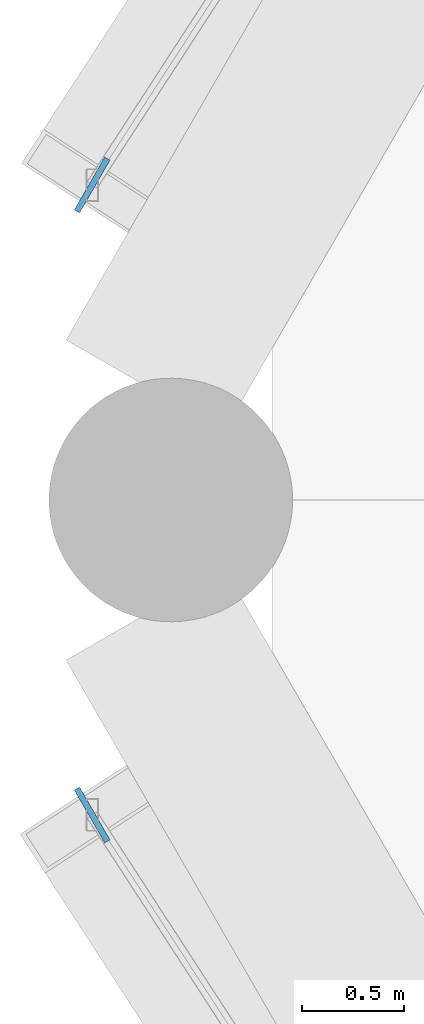
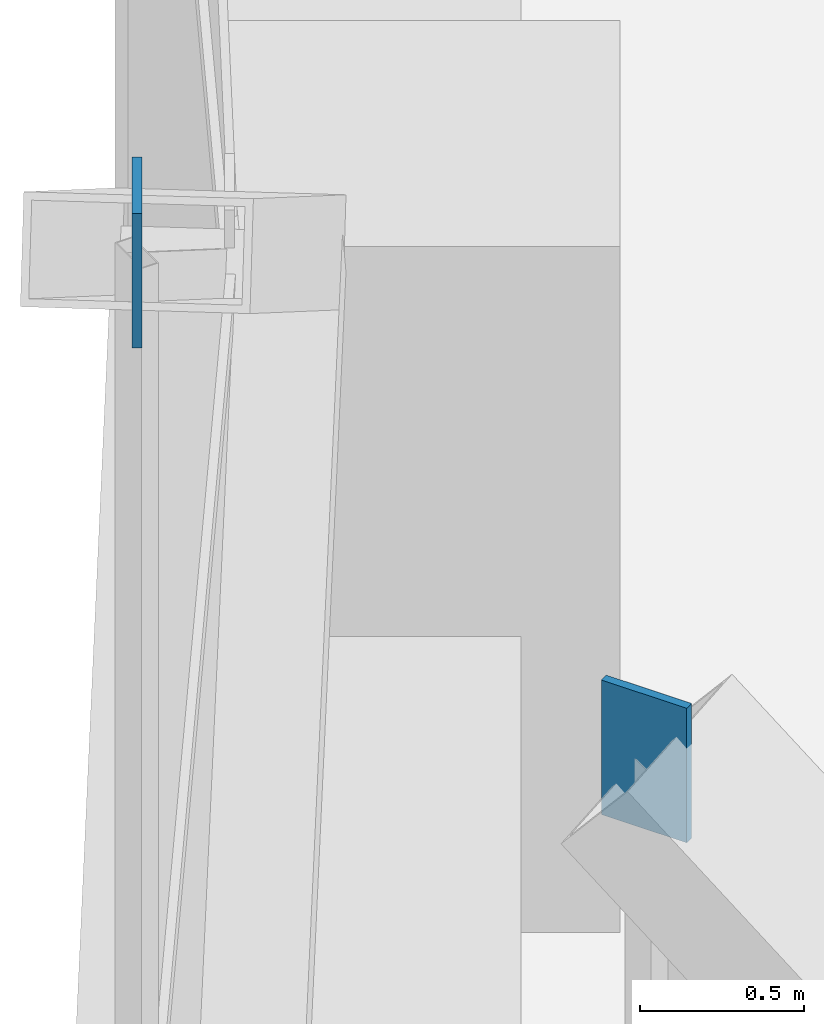
# One storey, part 32 of 36: 2 discrete accessories.
"""IFC4 building model written with IfcOpenShell, lengths in metres."""

import ifcopenshell
import ifcopenshell.guid

model = None  # the IFC model being written
_history = None  # IfcOwnerHistory: only IFC2X3 demands one
_inside = {}  # id of a spatial element -> (the spatial element, [elements in it])
_under = {}  # id of a project, library or spatial element -> (it, [spatial elements below it])
_declared = {}  # id of a project -> (the project, [libraries it declares])
_typed = {}  # id of a type object -> (the type object, [elements of that type])
_made_of = {}  # id of a material, layer set ... -> (it, [elements and type objects made of it])


def new_model(schema):
    """Start an empty IFC model of exactly this schema.

    Asked for "IFC4X3", IfcOpenShell would pick the latest addendum, in which some entities
    have other attributes; the version numbers below select the first issue.
    IFC2X3 requires an IfcOwnerHistory on every rooted entity: one is made here for all.
    """
    global model, _history
    if schema == "IFC4X3":
        model = ifcopenshell.file(schema_version=(4, 3, 0, 0))
    else:
        model = ifcopenshell.file(schema=schema)
    _inside.clear()
    _under.clear()
    _declared.clear()
    _typed.clear()
    _made_of.clear()
    _history = None
    if model.schema == "IFC2X3":
        org = make("IfcOrganization", Name="unknown")
        user = make(
            "IfcPersonAndOrganization",
            ThePerson=make("IfcPerson", FamilyName="unknown"),
            TheOrganization=org,
        )
        app = make(
            "IfcApplication",
            ApplicationDeveloper=org,
            Version="unknown",
            ApplicationFullName="unknown",
            ApplicationIdentifier="unknown",
        )
        _history = make(
            "IfcOwnerHistory",
            OwningUser=user,
            OwningApplication=app,
            ChangeAction="ADDED",
            CreationDate=0,
        )
    return model


def make(cls, **values):
    """One entity of the class cls with the attributes given. An attribute that is None is left unset."""
    return model.create_entity(
        cls, **{name: value for name, value in values.items() if value is not None}
    )


def rooted(cls, **values):
    """An entity with a GlobalId (a new one), such as an element, a storey or a relation."""
    return make(cls, GlobalId=ifcopenshell.guid.new(), OwnerHistory=_history, **values)


def si_unit(unit_type, name, prefix=None):
    """IfcSIUnit, for example si_unit("LENGTHUNIT", "METRE", prefix="MILLI")."""
    return make("IfcSIUnit", UnitType=unit_type, Prefix=prefix, Name=name)


def assignment(units):
    """IfcUnitAssignment: the units of a project."""
    return None if units is None else make("IfcUnitAssignment", Units=units)


def point(xyz):
    """IfcCartesianPoint."""
    return None if xyz is None else make("IfcCartesianPoint", Coordinates=xyz)


def direction(xyz):
    """IfcDirection."""
    return None if xyz is None else make("IfcDirection", DirectionRatios=xyz)


def frame(location, z_axis=None, x_axis=None):
    """IfcAxis2Placement3D, a coordinate frame: its origin and axes. An axis left out is left unset."""
    return make(
        "IfcAxis2Placement3D",
        Location=point(location),
        Axis=direction(z_axis),
        RefDirection=direction(x_axis),
    )


def frame_2d(location, x_axis=None):
    """IfcAxis2Placement2D, a coordinate frame in the plane: its origin and x axis."""
    return make(
        "IfcAxis2Placement2D", Location=point(location), RefDirection=direction(x_axis)
    )


def origin():
    """The frame at (0, 0, 0) with its axes left unset."""
    return frame((0.0, 0.0, 0.0))


def origin_2d():
    """The frame at (0, 0) in the plane with its x axis left unset."""
    return frame_2d((0.0, 0.0))


def place(relative_to, where):
    """IfcLocalPlacement: puts the frame where relative to a parent placement (None: the world)."""
    return make(
        "IfcLocalPlacement", PlacementRelTo=relative_to, RelativePlacement=where
    )


def context(
    kind, dimensions, precision=None, world=None, true_north=None, identifier=None
):
    """IfcGeometricRepresentationContext, for example the 3D "Model" context."""
    return make(
        "IfcGeometricRepresentationContext",
        ContextIdentifier=identifier,
        ContextType=kind,
        CoordinateSpaceDimension=dimensions,
        Precision=precision,
        WorldCoordinateSystem=world,
        TrueNorth=true_north,
    )


def subcontext(parent, identifier, kind, view, scale=None):
    """IfcGeometricRepresentationSubContext, for example "Body" below "Model"."""
    return make(
        "IfcGeometricRepresentationSubContext",
        ContextIdentifier=identifier,
        ContextType=kind,
        ParentContext=parent,
        TargetScale=scale,
        TargetView=view,
    )


def project(units=None, contexts=None):
    """IfcProject with its units and contexts."""
    return rooted(
        "IfcProject",
        Name="project",
        RepresentationContexts=contexts,
        UnitsInContext=assignment(units),
    )


def spatial(cls, under=None, at=None, **own):
    """A site, building, storey or space (cls), placed at a placement, below another one or the project."""
    s = rooted(cls, ObjectPlacement=at, **own)
    if under is not None:
        _under.setdefault(under.id(), (under, []))[1].append(s)
    return s


def profile(cls, at=None, kind="AREA", **sizes):
    """A parametric profile (cls). Its sizes go by their IFC names, for example OverallWidth=200.0."""
    return make(cls, ProfileType=kind, Position=at, **sizes)


def rectangle(**sizes):
    """IfcRectangleProfileDef."""
    return profile("IfcRectangleProfileDef", **sizes)


def extrude(swept, where, along, depth):
    """IfcExtrudedAreaSolid: the profile swept, set in the frame where, extruded along a direction by depth."""
    return make(
        "IfcExtrudedAreaSolid",
        SweptArea=swept,
        Position=where,
        ExtrudedDirection=direction(along),
        Depth=depth,
    )


def shape(context_of_items, identifier, shape_type, items):
    """IfcShapeRepresentation: the items that make up one representation, for example the "Body"."""
    return make(
        "IfcShapeRepresentation",
        ContextOfItems=context_of_items,
        RepresentationIdentifier=identifier,
        RepresentationType=shape_type,
        Items=items,
    )


def material(Name=None, Category=None):
    """IfcMaterial."""
    return make("IfcMaterial", Name=Name, Category=Category)


def layer(
    of_material, thickness, ventilated=None, Name=None, Category=None, Priority=None
):
    """IfcMaterialLayer: one layer of a wall or slab, of a material (None: an air gap)."""
    return make(
        "IfcMaterialLayer",
        Material=of_material,
        LayerThickness=thickness,
        IsVentilated=ventilated,
        Name=Name,
        Category=Category,
        Priority=Priority,
    )


def layer_set(layers, Name=None):
    """IfcMaterialLayerSet."""
    return make("IfcMaterialLayerSet", MaterialLayers=layers, LayerSetName=Name)


def made_of(thing, what):
    """Note that an element or type object is made of a material, layer set ...; save() writes the relation."""
    if what is not None:
        _made_of.setdefault(what.id(), (what, []))[1].append(thing)
    return thing


def type_object(cls, material=None, **own):
    """A type object (cls), such as IfcWallType, which elements share."""
    return made_of(rooted(cls, **own), material)


def element(
    cls,
    number,
    at=None,
    inside=None,
    cuts=None,
    type_object=None,
    material=None,
    context=None,
    identifier="Body",
    shape_type=None,
    held_by="IfcProductDefinitionShape",
    body=None,
    shapes=None,
    **own,
):
    """One element of the class cls, such as IfcWall. Its Tag is "e" and its number.

    at: its placement. inside: the storey or other place that contains it. cuts: it is an
    opening in that element (IfcRelVoidsElement). A single representation is given by context,
    identifier, shape_type and body (its items); several are given by shapes. held_by: the class
    of the entity that holds the representations. save() writes the other relations.
    """
    e = rooted(cls, Tag="e%d" % number, ObjectPlacement=at, **own)
    if body is not None:
        shapes = [shape(context, identifier, shape_type, body)]
    if shapes is not None:
        e.Representation = make(held_by, Representations=shapes)
    if inside is not None:
        _inside.setdefault(inside.id(), (inside, []))[1].append(e)
    if cuts is not None:
        rooted(
            "IfcRelVoidsElement", RelatingBuildingElement=cuts, RelatedOpeningElement=e
        )
    if type_object is not None:
        _typed.setdefault(type_object.id(), (type_object, []))[1].append(e)
    return made_of(e, material)


def aggregate(whole, parts):
    """IfcRelAggregates: a whole, such as a stair, and the parts it consists of."""
    return rooted("IfcRelAggregates", RelatingObject=whole, RelatedObjects=parts)


def save(model, path):
    """Write the relations noted so far, then the file.

    IfcRelAggregates (storeys below a building ...), IfcRelContainedInSpatialStructure (elements
    in a storey), IfcRelDefinesByType, IfcRelAssociatesMaterial and IfcRelDeclares: one each for
    every whole, place, type object, material and project.
    """
    for whole, parts in _under.values():
        aggregate(whole, parts)
    for where, things in _inside.values():
        rooted(
            "IfcRelContainedInSpatialStructure",
            RelatedElements=things,
            RelatingStructure=where,
        )
    for kind, things in _typed.values():
        rooted("IfcRelDefinesByType", RelatedObjects=things, RelatingType=kind)
    for what, things in _made_of.values():
        rooted("IfcRelAssociatesMaterial", RelatedObjects=things, RelatingMaterial=what)
    for by, libraries in _declared.values():
        rooted("IfcRelDeclares", RelatingContext=by, RelatedDefinitions=libraries)
    model.write(path)


model = new_model("IFC4")

# Units and contexts
model_context = context("Model", 3, precision=1e-05, world=origin(), true_north=direction((0.0, 1.0)))
body_context = subcontext(model_context, "Body", "Model", "MODEL_VIEW")
ifc_project = project(units=[si_unit("LENGTHUNIT", "METRE"), si_unit("AREAUNIT", "SQUARE_METRE"), si_unit("VOLUMEUNIT", "CUBIC_METRE"), si_unit("PLANEANGLEUNIT", "RADIAN"), si_unit("MASSUNIT", "GRAM", prefix="KILO")], contexts=[model_context])

# Site, building, storey
site_placement = place(None, origin())
site = spatial("IfcSite", under=ifc_project, at=site_placement, CompositionType="ELEMENT")
building_placement = place(site_placement, origin())
building = spatial("IfcBuilding", under=site, at=building_placement, Name="Ostrander Bayou Hotel Tower", CompositionType="ELEMENT")
storey_placement = place(building_placement, frame((0.0, 0.0, 138.5)))
storey = spatial("IfcBuildingStorey", under=building, at=storey_placement, Name="L34", CompositionType="ELEMENT", Elevation=138.5)

# Discrete accessories
ifc_material = material(Name="Steel ASTM A572 Gr 50", Category="steel")
ifc_layer = layer(ifc_material, 0.030029296875)
ifc_layer_set = layer_set([ifc_layer], Name="GP1 gusset plate 30 mm")
discrete_accessory_type = type_object("IfcDiscreteAccessoryType", Name="GP1 gusset plate 30 mm", PredefinedType="BRACKET", material=ifc_layer_set)
for number, where, z_axis, x_axis, name in (
    (1, (-22.188720703125, 0.39501953125, 6.64990234375), (0.0, 0.0, 1.0), (-0.5, -0.866025403784, 0.0), "GP1 gusset plate lat 201"),
    (2, (-22.188720703125, -2.7080078125, 6.64990234375), (0.0, 0.0, 1.0), (0.5, -0.866025403784, 0.0), "GP1 gusset plate lat 203"),
):
    element("IfcDiscreteAccessory", number, at=place(storey_placement, frame(where, z_axis=z_axis, x_axis=x_axis)), inside=storey, type_object=discrete_accessory_type, Name=name, PredefinedType="BRACKET", context=body_context, shape_type="SweptSolid", body=[
        extrude(rectangle(XDim=0.300048828125, YDim=0.030029296875, at=origin_2d()), origin(), (0.0, 0.0, 1.0), 0.5),
    ])

save(model, "model.ifc")
